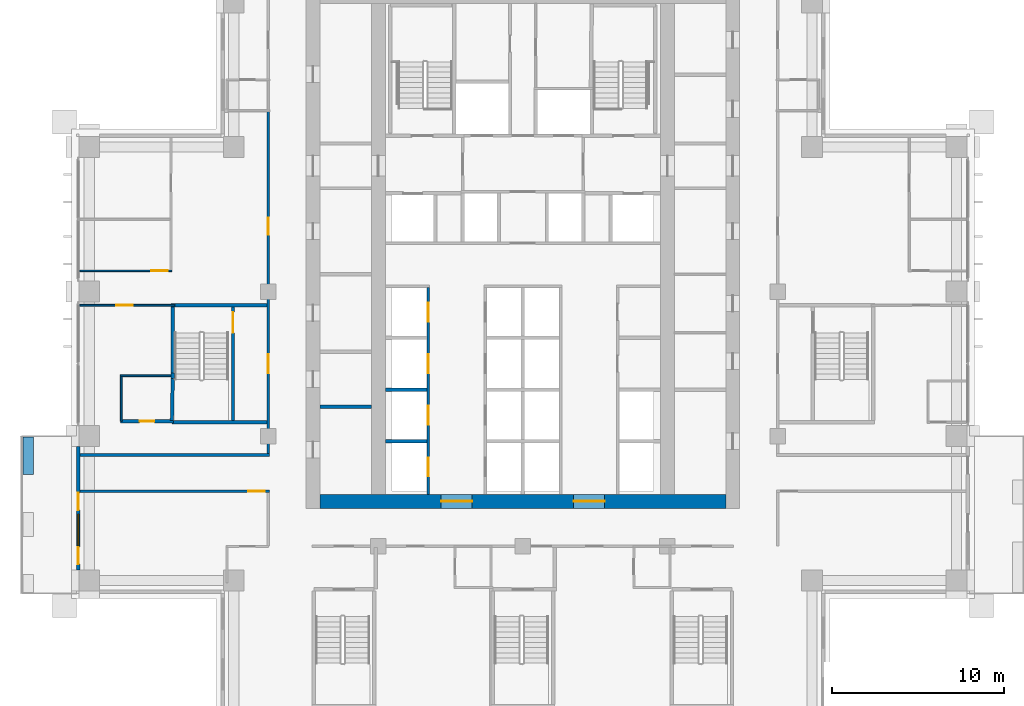
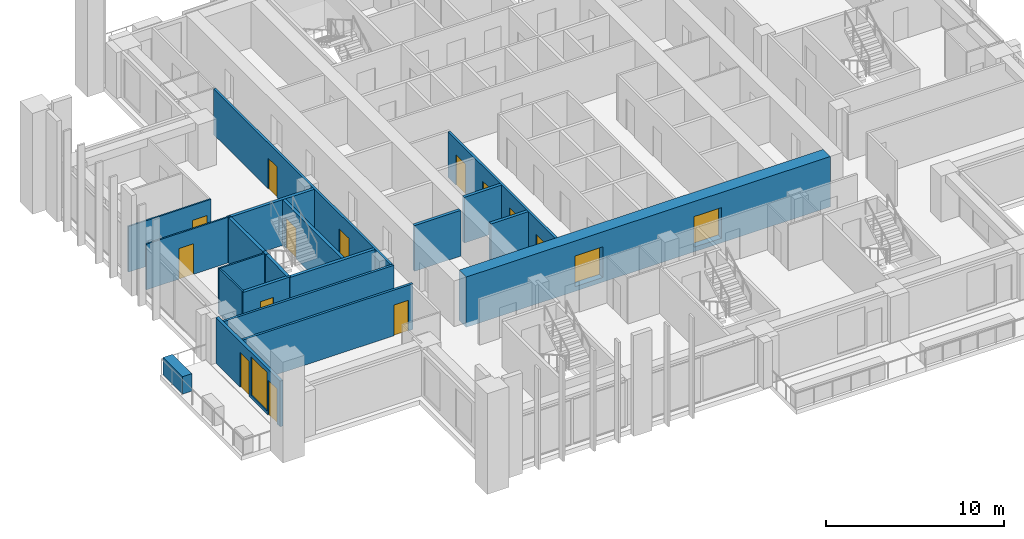
# One storey, part 9 of 19: 21 walls, 15 doors, 1 window, 16 openings.
"""IFC4 building model written with IfcOpenShell, lengths in metres."""

from ifc_helpers import new_model, si_unit, direction, frame, frame_2d, origin, place, context, subcontext, project, spatial, rectangle, extrude, material, layer, layer_set, type_object, element, fill, save


model = new_model("IFC4")

# Units and contexts
model_context = context("Model", 3, precision=1e-05, world=origin(), true_north=direction((0.0, 1.0)))
body_context = subcontext(model_context, "Body", "Model", "MODEL_VIEW")
ifc_project = project(units=[si_unit("LENGTHUNIT", "METRE"), si_unit("AREAUNIT", "SQUARE_METRE"), si_unit("VOLUMEUNIT", "CUBIC_METRE"), si_unit("PLANEANGLEUNIT", "RADIAN"), si_unit("MASSUNIT", "GRAM", prefix="KILO")], contexts=[model_context])

# Site, building, storey
site_placement = place(None, origin())
site = spatial("IfcSite", under=ifc_project, at=site_placement, CompositionType="ELEMENT")
building_placement = place(site_placement, origin())
building = spatial("IfcBuilding", under=site, at=building_placement, Name="Vermilion Ogive Tower", CompositionType="ELEMENT")
storey_placement = place(building_placement, frame((0.0, 0.0, 90.75)))
storey = spatial("IfcBuildingStorey", under=building, at=storey_placement, Name="L22", CompositionType="ELEMENT", Elevation=90.75)

# Wall, openings, doors
ifc_material_1 = material(Name="Concrete B80", Category="concrete")
ifc_layer_1 = layer(ifc_material_1, 0.800048828125)
ifc_layer_set_1 = layer_set([ifc_layer_1], Name="Core wall 800 B80")
wall_type_1 = type_object("IfcWallType", Name="Core wall 800 B80", PredefinedType="SHEAR", material=ifc_layer_set_1)
wall_1_placement = place(storey_placement, frame((-11.800048828125, -8.0, -0.320068359375), z_axis=(0.0, 0.0, 1.0), x_axis=(1.0, 0.0, 0.0)))
wall_1 = element("IfcWall", 1, at=wall_1_placement, inside=storey, type_object=wall_type_1, Name="L22-CORE-S", PredefinedType="SHEAR", context=body_context, shape_type="SweptSolid", body=[
    extrude(rectangle(XDim=23.60009765625, YDim=0.800048828125, at=frame_2d((11.800048828125, 0.0))), origin(), (0.0, 0.0, 1.0), 3.449951171875),
])
opening_1_placement = place(wall_1_placement, frame((7.050048828125, 0.0, 0.320068359375)))
opening_1 = element("IfcOpeningElement", 2, at=opening_1_placement, cuts=wall_1, Name="Opening DAH015", PredefinedType="OPENING", context=body_context, shape_type="SweptSolid", body=[
    extrude(rectangle(XDim=1.800048828125, YDim=2.10009765625, at=frame_2d((0.89990234375, 1.050048828125))), frame((0.0, 0.409912109375, 0.0), z_axis=(0.0, -1.0, 0.0), x_axis=(1.0, 0.0, 0.0)), (0.0, 0.0, 1.0), 0.820068359375),
])
opening_2_placement = place(wall_1_placement, frame((14.75, 0.0, 0.320068359375)))
opening_2 = element("IfcOpeningElement", 3, at=opening_2_placement, cuts=wall_1, Name="Opening DAH016", PredefinedType="OPENING", context=body_context, shape_type="SweptSolid", body=[
    extrude(rectangle(XDim=1.800048828125, YDim=2.10009765625, at=frame_2d((0.89990234375, 1.050048828125))), frame((0.0, 0.409912109375, 0.0), z_axis=(0.0, -1.0, 0.0), x_axis=(1.0, 0.0, 0.0)), (0.0, 0.0, 1.0), 0.820068359375),
])
ifc_material_2 = material(Name="Timber door leaf", Category="wood")
door_type_1 = type_object("IfcDoorType", Name="Core entry door 1800 x 2100 FD60S", OperationType="DOUBLE_DOOR_SINGLE_SWING", PredefinedType="DOOR", material=ifc_material_2)
door_1_placement = place(opening_1_placement, origin())
door_1 = element("IfcDoor", 4, at=door_1_placement, inside=storey, type_object=door_type_1, Name="L22-CK-XD1", OperationType="SINGLE_SWING_LEFT", OverallHeight=2.10009765625, OverallWidth=1.800048828125, PredefinedType="DOOR", context=body_context, shape_type="SweptSolid", body=[
    extrude(rectangle(XDim=1.800048828125, YDim=2.10009765625, at=frame_2d((0.89990234375, 1.050048828125))), frame((0.0, 0.02490234375, 0.0), z_axis=(0.0, -1.0, 0.0), x_axis=(1.0, 0.0, 0.0)), (0.0, 0.0, 1.0), 0.050048828125),
])
fill(opening_1, door_1)
door_2_placement = place(opening_2_placement, origin())
door_2 = element("IfcDoor", 5, at=door_2_placement, inside=storey, type_object=door_type_1, Name="L22-CK-XD2", OperationType="SINGLE_SWING_LEFT", OverallHeight=2.10009765625, OverallWidth=1.800048828125, PredefinedType="DOOR", context=body_context, shape_type="SweptSolid", body=[
    extrude(rectangle(XDim=1.800048828125, YDim=2.10009765625, at=frame_2d((0.89990234375, 1.050048828125))), frame((0.0, 0.02490234375, 0.0), z_axis=(0.0, -1.0, 0.0), x_axis=(1.0, 0.0, 0.0)), (0.0, 0.0, 1.0), 0.050048828125),
])
fill(opening_2, door_2)

# Walls
ifc_material_3 = material(Name="Gypsum board partition on steel studs", Category="steel")
ifc_layer_2 = layer(ifc_material_3, 0.10009765625)
ifc_layer_set_2 = layer_set([ifc_layer_2], Name="Partition 100 bath")
wall_type_2 = type_object("IfcWallType", Name="Partition 100 bath", PredefinedType="PARTITIONING", material=ifc_layer_set_2)
wall_2_placement = place(storey_placement, frame((-23.39794921875, -0.699951171875, 0.0), z_axis=(0.0, 0.0, 1.0), x_axis=(1.0, 0.0, 0.0)))
element("IfcWall", 6, at=wall_2_placement, inside=storey, type_object=wall_type_2, Name="L22-W-W022", PredefinedType="PARTITIONING", context=body_context, shape_type="SweptSolid", body=[
    extrude(rectangle(XDim=2.947998046875, YDim=0.10009765625, at=frame_2d((1.47412109375, 0.0))), origin(), (0.0, 0.0, 1.0), 3.1298828125),
])
wall_3_placement = place(storey_placement, frame((-23.35009765625, -3.347900390625, 0.0), z_axis=(0.0, 0.0, 1.0), x_axis=(0.0, 1.0, 0.0)))
element("IfcWall", 7, at=wall_3_placement, inside=storey, type_object=wall_type_2, Name="L22-W-W037", PredefinedType="PARTITIONING", context=body_context, shape_type="SweptSolid", body=[
    extrude(rectangle(XDim=2.595947265625, YDim=0.10009765625, at=frame_2d((1.2978515625, 0.0))), origin(), (0.0, 0.0, 1.0), 3.1298828125),
])

# Wall, opening, door
ifc_material_4 = material(Name="Gypsum board partition on steel studs", Category="steel")
ifc_layer_3 = layer(ifc_material_4, 0.10009765625)
ifc_layer_set_3 = layer_set([ifc_layer_3], Name="Partition 100 inner")
wall_type_3 = type_object("IfcWallType", Name="Partition 100 inner", PredefinedType="PARTITIONING", material=ifc_layer_set_3)
wall_4_placement = place(storey_placement, frame((-25.75, 3.39990234375, 0.0), z_axis=(0.0, 0.0, 1.0), x_axis=(1.0, 0.0, 0.0)))
wall_4 = element("IfcWall", 8, at=wall_4_placement, inside=storey, type_object=wall_type_3, Name="L22-W-W023", PredefinedType="PARTITIONING", context=body_context, shape_type="SweptSolid", body=[
    extrude(rectangle(XDim=5.5, YDim=0.10009765625, at=frame_2d((2.75, 0.0))), origin(), (0.0, 0.0, 1.0), 3.1298828125),
])
opening_3_placement = place(wall_4_placement, frame((2.125, 0.0, 0.0)))
opening_3 = element("IfcOpeningElement", 9, at=opening_3_placement, cuts=wall_4, Name="Opening D2G2006", PredefinedType="OPENING", context=body_context, shape_type="SweptSolid", body=[
    extrude(rectangle(XDim=0.949951171875, YDim=2.10009765625, at=frame_2d((0.47509765625, 1.050048828125))), frame((0.0, 0.06005859375, 0.0), z_axis=(0.0, -1.0, 0.0), x_axis=(1.0, 0.0, 0.0)), (0.0, 0.0, 1.0), 0.1201171875),
])
ifc_material_5 = material(Name="Timber door leaf", Category="wood")
door_type_2 = type_object("IfcDoorType", Name="Inner door 950 x 2100 FD30", OperationType="SINGLE_SWING_LEFT", PredefinedType="DOOR", material=ifc_material_5)
door_3_placement = place(opening_3_placement, origin())
door_3 = element("IfcDoor", 10, at=door_3_placement, inside=storey, type_object=door_type_2, Name="L22-D-D006", OperationType="SINGLE_SWING_LEFT", OverallHeight=2.10009765625, OverallWidth=0.949951171875, PredefinedType="DOOR", context=body_context, shape_type="SweptSolid", body=[
    extrude(rectangle(XDim=0.949951171875, YDim=2.10009765625, at=frame_2d((0.47509765625, 1.050048828125))), frame((0.0, 0.02490234375, 0.0), z_axis=(0.0, -1.0, 0.0), x_axis=(1.0, 0.0, 0.0)), (0.0, 0.0, 1.0), 0.050048828125),
])
fill(opening_3, door_3)

wall_5_placement = place(storey_placement, frame((-25.75, 5.39990234375, 0.0), z_axis=(0.0, 0.0, 1.0), x_axis=(1.0, 0.0, 0.0)))
wall_5 = element("IfcWall", 11, at=wall_5_placement, inside=storey, type_object=wall_type_3, Name="L22-W-W027", PredefinedType="PARTITIONING", context=body_context, shape_type="SweptSolid", body=[
    extrude(rectangle(XDim=5.35009765625, YDim=0.10009765625, at=frame_2d((2.675048828125, 0.0))), origin(), (0.0, 0.0, 1.0), 3.1298828125),
])
opening_4_placement = place(wall_5_placement, frame((4.14990234375, 0.0, 0.0)))
opening_4 = element("IfcOpeningElement", 12, at=opening_4_placement, cuts=wall_5, Name="Opening D2G2003", PredefinedType="OPENING", context=body_context, shape_type="SweptSolid", body=[
    extrude(rectangle(XDim=0.949951171875, YDim=2.10009765625, at=frame_2d((0.47509765625, 1.050048828125))), frame((0.0, 0.06005859375, 0.0), z_axis=(0.0, -1.0, 0.0), x_axis=(1.0, 0.0, 0.0)), (0.0, 0.0, 1.0), 0.1201171875),
])
door_4_placement = place(opening_4_placement, origin())
door_4 = element("IfcDoor", 13, at=door_4_placement, inside=storey, type_object=door_type_2, Name="L22-D-D003", OperationType="SINGLE_SWING_LEFT", OverallHeight=2.10009765625, OverallWidth=0.949951171875, PredefinedType="DOOR", context=body_context, shape_type="SweptSolid", body=[
    extrude(rectangle(XDim=0.949951171875, YDim=2.10009765625, at=frame_2d((0.47509765625, 1.050048828125))), frame((0.0, 0.02490234375, 0.0), z_axis=(0.0, -1.0, 0.0), x_axis=(1.0, 0.0, 0.0)), (0.0, 0.0, 1.0), 0.050048828125),
])
fill(opening_4, door_4)

ifc_material_6 = material(Name="Gypsum board partition on steel studs", Category="steel")
ifc_layer_4 = layer(ifc_material_6, 0.14990234375)
ifc_layer_set_4 = layer_set([ifc_layer_4], Name="Partition 150 corridor")
wall_type_4 = type_object("IfcWallType", Name="Partition 150 corridor", PredefinedType="PARTITIONING", material=ifc_layer_set_4)
wall_6_placement = place(storey_placement, frame((-25.75, -7.39990234375, 0.0), z_axis=(0.0, 0.0, 1.0), x_axis=(1.0, 0.0, 0.0)))
wall_6 = element("IfcWall", 14, at=wall_6_placement, inside=storey, type_object=wall_type_4, Name="L22-W-W013", PredefinedType="PARTITIONING", context=body_context, shape_type="SweptSolid", body=[
    extrude(rectangle(XDim=11.02490234375, YDim=0.14990234375, at=frame_2d((5.512451171875, 0.0))), origin(), (0.0, 0.0, 1.0), 3.1298828125),
])
opening_5_placement = place(wall_6_placement, frame((9.800048828125, 0.0, 0.0)))
opening_5 = element("IfcOpeningElement", 15, at=opening_5_placement, cuts=wall_6, Name="Opening D2G2001", PredefinedType="OPENING", context=body_context, shape_type="SweptSolid", body=[
    extrude(rectangle(XDim=0.949951171875, YDim=2.10009765625, at=frame_2d((0.47509765625, 1.050048828125))), frame((0.0, 0.0849609375, 0.0), z_axis=(0.0, -1.0, 0.0), x_axis=(1.0, 0.0, 0.0)), (0.0, 0.0, 1.0), 0.169921875),
])
ifc_material_7 = material(Name="Timber door leaf", Category="wood")
door_type_3 = type_object("IfcDoorType", Name="Unit door 950 x 2100 FD30S", OperationType="SINGLE_SWING_LEFT", PredefinedType="DOOR", material=ifc_material_7)
door_5_placement = place(opening_5_placement, origin())
door_5 = element("IfcDoor", 16, at=door_5_placement, inside=storey, type_object=door_type_3, Name="L22-D-D001", OperationType="SINGLE_SWING_RIGHT", OverallHeight=2.10009765625, OverallWidth=0.949951171875, PredefinedType="DOOR", context=body_context, shape_type="SweptSolid", body=[
    extrude(rectangle(XDim=0.949951171875, YDim=2.10009765625, at=frame_2d((0.47509765625, 1.050048828125))), frame((0.0, 0.02490234375, 0.0), z_axis=(0.0, -1.0, 0.0), x_axis=(1.0, 0.0, 0.0)), (0.0, 0.0, 1.0), 0.050048828125),
])
fill(opening_5, door_5)

# Wall
wall_7_placement = place(storey_placement, frame((-25.75, -5.300048828125, 0.0), z_axis=(0.0, 0.0, 1.0), x_axis=(1.0, 0.0, 0.0)))
element("IfcWall", 17, at=wall_7_placement, inside=storey, type_object=wall_type_4, Name="L22-W-W015", PredefinedType="PARTITIONING", context=body_context, shape_type="SweptSolid", body=[
    extrude(rectangle(XDim=11.02294921875, YDim=0.14990234375, at=frame_2d((5.511474609375, 0.0))), origin(), (0.0, 0.0, 1.0), 3.1298828125),
])

# Wall, openings, doors
wall_8_placement = place(storey_placement, frame((-14.800048828125, -5.222900390625, 0.0), z_axis=(0.0, 0.0, 1.0), x_axis=(0.0, 1.0, 0.0)))
wall_8 = element("IfcWall", 18, at=wall_8_placement, inside=storey, type_object=wall_type_4, Name="L22-W-W045", PredefinedType="PARTITIONING", context=body_context, shape_type="SweptSolid", body=[
    extrude(rectangle(XDim=19.872802734375, YDim=0.14990234375, at=frame_2d((9.9365234375, 0.0))), origin(), (0.0, 0.0, 1.0), 3.1298828125),
])
opening_6_placement = place(wall_8_placement, frame((12.722900390625, 0.0, 0.0)))
opening_6 = element("IfcOpeningElement", 19, at=opening_6_placement, cuts=wall_8, Name="Opening D2G2005", PredefinedType="OPENING", context=body_context, shape_type="SweptSolid", body=[
    extrude(rectangle(XDim=1.0, YDim=2.10009765625, at=frame_2d((0.5, 1.050048828125))), frame((0.0, 0.0849609375, 0.0), z_axis=(0.0, -1.0, 0.0), x_axis=(1.0, 0.0, 0.0)), (0.0, 0.0, 1.0), 0.169921875),
])
opening_7_placement = place(wall_8_placement, frame((4.6728515625, 0.0, 0.0)))
opening_7 = element("IfcOpeningElement", 20, at=opening_7_placement, cuts=wall_8, Name="Opening D2G2030", PredefinedType="OPENING", context=body_context, shape_type="SweptSolid", body=[
    extrude(rectangle(XDim=1.10009765625, YDim=2.10009765625, at=frame_2d((0.550048828125, 1.050048828125))), frame((0.0, 0.0849609375, 0.0), z_axis=(0.0, -1.0, 0.0), x_axis=(1.0, 0.0, 0.0)), (0.0, 0.0, 1.0), 0.169921875),
])
ifc_material_8 = material(Name="Timber door leaf", Category="wood")
door_type_4 = type_object("IfcDoorType", Name="Stair door 1100 x 2100 FD60S", OperationType="SINGLE_SWING_LEFT", PredefinedType="DOOR", material=ifc_material_8)
door_6_placement = place(opening_7_placement, origin())
door_6 = element("IfcDoor", 21, at=door_6_placement, inside=storey, type_object=door_type_4, Name="L22-D-D030", OperationType="SINGLE_SWING_LEFT", OverallHeight=2.10009765625, OverallWidth=1.10009765625, PredefinedType="DOOR", context=body_context, shape_type="SweptSolid", body=[
    extrude(rectangle(XDim=1.10009765625, YDim=2.10009765625, at=frame_2d((0.550048828125, 1.050048828125))), frame((0.0, 0.02490234375, 0.0), z_axis=(0.0, -1.0, 0.0), x_axis=(1.0, 0.0, 0.0)), (0.0, 0.0, 1.0), 0.050048828125),
])
fill(opening_7, door_6)
ifc_material_9 = material(Name="Timber door leaf", Category="wood")
door_type_5 = type_object("IfcDoorType", Name="Unit door 1000 x 2100 FD30S", OperationType="SINGLE_SWING_LEFT", PredefinedType="DOOR", material=ifc_material_9)
door_7_placement = place(opening_6_placement, origin())
door_7 = element("IfcDoor", 22, at=door_7_placement, inside=storey, type_object=door_type_5, Name="L22-D-D005", OperationType="SINGLE_SWING_RIGHT", OverallHeight=2.10009765625, OverallWidth=1.0, PredefinedType="DOOR", context=body_context, shape_type="SweptSolid", body=[
    extrude(rectangle(XDim=1.0, YDim=2.10009765625, at=frame_2d((0.5, 1.050048828125))), frame((0.0, 0.02490234375, 0.0), z_axis=(0.0, -1.0, 0.0), x_axis=(1.0, 0.0, 0.0)), (0.0, 0.0, 1.0), 0.050048828125),
])
fill(opening_6, door_7)

wall_9_placement = place(storey_placement, frame((-5.5, -7.59912109375, 0.0), z_axis=(0.0, 0.0, 1.0), x_axis=(0.0, 1.0, 0.0)))
wall_9 = element("IfcWall", 23, at=wall_9_placement, inside=storey, type_object=wall_type_4, Name="L22-CK-W-W022", PredefinedType="PARTITIONING", context=body_context, shape_type="SweptSolid", body=[
    extrude(rectangle(XDim=12.024169921875, YDim=0.14990234375, at=frame_2d((6.01220703125, 0.0))), origin(), (0.0, 0.0, 1.0), 3.1298828125),
])
opening_8_placement = place(wall_9_placement, frame((1.049072265625, 0.0, 0.0)))
opening_8 = element("IfcOpeningElement", 24, at=opening_8_placement, cuts=wall_9, Name="Opening DAA172", PredefinedType="OPENING", context=body_context, shape_type="SweptSolid", body=[
    extrude(rectangle(XDim=1.10009765625, YDim=2.10009765625, at=frame_2d((0.550048828125, 1.050048828125))), frame((0.0, 0.0849609375, 0.0), z_axis=(0.0, -1.0, 0.0), x_axis=(1.0, 0.0, 0.0)), (0.0, 0.0, 1.0), 0.169921875),
])
opening_9_placement = place(wall_9_placement, frame((4.049072265625, 0.0, 0.0)))
opening_9 = element("IfcOpeningElement", 25, at=opening_9_placement, cuts=wall_9, Name="Opening DAA175", PredefinedType="OPENING", context=body_context, shape_type="SweptSolid", body=[
    extrude(rectangle(XDim=1.10009765625, YDim=2.10009765625, at=frame_2d((0.550048828125, 1.050048828125))), frame((0.0, 0.0849609375, 0.0), z_axis=(0.0, -1.0, 0.0), x_axis=(1.0, 0.0, 0.0)), (0.0, 0.0, 1.0), 0.169921875),
])
opening_10_placement = place(wall_9_placement, frame((7.049072265625, 0.0, 0.0)))
opening_10 = element("IfcOpeningElement", 26, at=opening_10_placement, cuts=wall_9, Name="Opening DAA176", PredefinedType="OPENING", context=body_context, shape_type="SweptSolid", body=[
    extrude(rectangle(XDim=1.10009765625, YDim=2.10009765625, at=frame_2d((0.550048828125, 1.050048828125))), frame((0.0, 0.0849609375, 0.0), z_axis=(0.0, -1.0, 0.0), x_axis=(1.0, 0.0, 0.0)), (0.0, 0.0, 1.0), 0.169921875),
])
opening_11_placement = place(wall_9_placement, frame((10.049072265625, 0.0, 0.0)))
opening_11 = element("IfcOpeningElement", 27, at=opening_11_placement, cuts=wall_9, Name="Opening DAA177", PredefinedType="OPENING", context=body_context, shape_type="SweptSolid", body=[
    extrude(rectangle(XDim=1.10009765625, YDim=2.10009765625, at=frame_2d((0.550048828125, 1.050048828125))), frame((0.0, 0.0849609375, 0.0), z_axis=(0.0, -1.0, 0.0), x_axis=(1.0, 0.0, 0.0)), (0.0, 0.0, 1.0), 0.169921875),
])
ifc_material_10 = material(Name="Stainless steel", Category="steel")
door_type_6 = type_object("IfcDoorType", Name="Lift landing door 1100 x 2100", OperationType="SLIDING_TO_LEFT", PredefinedType="DOOR", material=ifc_material_10)
door_8_placement = place(opening_8_placement, origin())
door_8 = element("IfcDoor", 28, at=door_8_placement, inside=storey, type_object=door_type_6, Name="L22-CK-D-D001", OperationType="SLIDING_TO_LEFT", OverallHeight=2.10009765625, OverallWidth=1.10009765625, PredefinedType="DOOR", context=body_context, shape_type="SweptSolid", body=[
    extrude(rectangle(XDim=1.10009765625, YDim=2.10009765625, at=frame_2d((0.550048828125, 1.050048828125))), frame((0.0, 0.02490234375, 0.0), z_axis=(0.0, -1.0, 0.0), x_axis=(1.0, 0.0, 0.0)), (0.0, 0.0, 1.0), 0.050048828125),
])
fill(opening_8, door_8)
door_9_placement = place(opening_9_placement, origin())
door_9 = element("IfcDoor", 29, at=door_9_placement, inside=storey, type_object=door_type_6, Name="L22-CK-D-D002", OperationType="SLIDING_TO_LEFT", OverallHeight=2.10009765625, OverallWidth=1.10009765625, PredefinedType="DOOR", context=body_context, shape_type="SweptSolid", body=[
    extrude(rectangle(XDim=1.10009765625, YDim=2.10009765625, at=frame_2d((0.550048828125, 1.050048828125))), frame((0.0, 0.02490234375, 0.0), z_axis=(0.0, -1.0, 0.0), x_axis=(1.0, 0.0, 0.0)), (0.0, 0.0, 1.0), 0.050048828125),
])
fill(opening_9, door_9)
door_10_placement = place(opening_10_placement, origin())
door_10 = element("IfcDoor", 30, at=door_10_placement, inside=storey, type_object=door_type_6, Name="L22-CK-D-D003", OperationType="SLIDING_TO_LEFT", OverallHeight=2.10009765625, OverallWidth=1.10009765625, PredefinedType="DOOR", context=body_context, shape_type="SweptSolid", body=[
    extrude(rectangle(XDim=1.10009765625, YDim=2.10009765625, at=frame_2d((0.550048828125, 1.050048828125))), frame((0.0, 0.02490234375, 0.0), z_axis=(0.0, -1.0, 0.0), x_axis=(1.0, 0.0, 0.0)), (0.0, 0.0, 1.0), 0.050048828125),
])
fill(opening_10, door_10)
door_11_placement = place(opening_11_placement, origin())
door_11 = element("IfcDoor", 31, at=door_11_placement, inside=storey, type_object=door_type_6, Name="L22-CK-D-D004", OperationType="SLIDING_TO_LEFT", OverallHeight=2.10009765625, OverallWidth=1.10009765625, PredefinedType="DOOR", context=body_context, shape_type="SweptSolid", body=[
    extrude(rectangle(XDim=1.10009765625, YDim=2.10009765625, at=frame_2d((0.550048828125, 1.050048828125))), frame((0.0, 0.02490234375, 0.0), z_axis=(0.0, -1.0, 0.0), x_axis=(1.0, 0.0, 0.0)), (0.0, 0.0, 1.0), 0.050048828125),
])
fill(opening_11, door_11)

# Walls
ifc_material_11 = material(Name="Gypsum board partition on steel studs", Category="steel")
ifc_layer_5 = layer(ifc_material_11, 0.199951171875)
ifc_layer_set_5 = layer_set([ifc_layer_5], Name="Partition 200 party")
wall_type_5 = type_object("IfcWallType", Name="Partition 200 party", PredefinedType="PARTITIONING", material=ifc_layer_set_5)
for number, where, z_axis, x_axis, name in (
    (32, (-7.9990234375, -4.5, 0.0), (0.0, 0.0, 1.0), (1.0, 0.0, 0.0), "L22-CK-W-W001"),
    (33, (-7.9990234375, -1.5, 0.0), (0.0, 0.0, 1.0), (1.0, 0.0, 0.0), "L22-CK-W-W004"),
):
    element("IfcWall", number, at=place(storey_placement, frame(where, z_axis=z_axis, x_axis=x_axis)), inside=storey, type_object=wall_type_5, Name=name, PredefinedType="PARTITIONING", context=body_context, shape_type="SweptSolid", body=[
        extrude(rectangle(XDim=2.424072265625, YDim=0.199951171875, at=frame_2d((1.2119140625, 0.0))), origin(), (0.0, 0.0, 1.0), 3.1298828125),
    ])
wall_10_placement = place(storey_placement, frame((-11.799072265625, -2.5, 0.0), z_axis=(0.0, 0.0, 1.0), x_axis=(1.0, 0.0, 0.0)))
element("IfcWall", 34, at=wall_10_placement, inside=storey, type_object=wall_type_5, Name="L22-CKW-W-W001", PredefinedType="PARTITIONING", context=body_context, shape_type="SweptSolid", body=[
    extrude(rectangle(XDim=2.998046875, YDim=0.199951171875, at=frame_2d((1.4990234375, 0.0))), origin(), (0.0, 0.0, 1.0), 3.1298828125),
])

# Wall, opening, door
ifc_material_12 = material(Name="Concrete B60", Category="concrete")
ifc_layer_6 = layer(ifc_material_12, 0.199951171875)
ifc_layer_set_6 = layer_set([ifc_layer_6], Name="Stair shaft wall 200 Concrete B60")
wall_type_6 = type_object("IfcWallType", Name="Stair shaft wall 200 Concrete B60", PredefinedType="SOLIDWALL", material=ifc_layer_set_6)
wall_11_placement = place(storey_placement, frame((-23.39794921875, -3.349853515625, 0.0), z_axis=(0.0, 0.0, 1.0), x_axis=(1.0, 0.0, 0.0)))
wall_11 = element("IfcWall", 35, at=wall_11_placement, inside=storey, type_object=wall_type_6, Name="L22-W-W017", PredefinedType="SOLIDWALL", context=body_context, shape_type="SweptSolid", body=[
    extrude(rectangle(XDim=3.097900390625, YDim=0.199951171875, at=frame_2d((1.548828125, 0.0))), origin(), (0.0, 0.0, 1.0), 3.1298828125),
])
opening_12_placement = place(wall_11_placement, frame((1.123046875, 0.0, 0.0)))
opening_12 = element("IfcOpeningElement", 36, at=opening_12_placement, cuts=wall_11, Name="Opening D2G2007", PredefinedType="OPENING", context=body_context, shape_type="SweptSolid", body=[
    extrude(rectangle(XDim=0.85009765625, YDim=2.10009765625, at=frame_2d((0.425048828125, 1.050048828125))), frame((0.0, 0.10986328125, 0.0), z_axis=(0.0, -1.0, 0.0), x_axis=(1.0, 0.0, 0.0)), (0.0, 0.0, 1.0), 0.219970703125),
])
ifc_material_13 = material(Name="Timber door leaf", Category="wood")
door_type_7 = type_object("IfcDoorType", Name="Bath door 850 x 2100 FD30", OperationType="SINGLE_SWING_LEFT", PredefinedType="DOOR", material=ifc_material_13)
door_12_placement = place(opening_12_placement, origin())
door_12 = element("IfcDoor", 37, at=door_12_placement, inside=storey, type_object=door_type_7, Name="L22-D-D007", OperationType="SINGLE_SWING_LEFT", OverallHeight=2.10009765625, OverallWidth=0.85009765625, PredefinedType="DOOR", context=body_context, shape_type="SweptSolid", body=[
    extrude(rectangle(XDim=0.85009765625, YDim=2.10009765625, at=frame_2d((0.425048828125, 1.050048828125))), frame((0.0, 0.02490234375, 0.0), z_axis=(0.0, -1.0, 0.0), x_axis=(1.0, 0.0, 0.0)), (0.0, 0.0, 1.0), 0.050048828125),
])
fill(opening_12, door_12)

# Walls
wall_12_placement = place(storey_placement, frame((-20.39990234375, -3.39990234375, 0.0), z_axis=(0.0, 0.0, 1.0), x_axis=(1.0, 0.0, 0.0)))
element("IfcWall", 38, at=wall_12_placement, inside=storey, type_object=wall_type_6, Name="L22-W-W018", PredefinedType="SOLIDWALL", context=body_context, shape_type="SweptSolid", body=[
    extrude(rectangle(XDim=5.52294921875, YDim=0.199951171875, at=frame_2d((2.761474609375, 0.0))), origin(), (0.0, 0.0, 1.0), 3.1298828125),
])
wall_13_placement = place(storey_placement, frame((-20.449951171875, 3.39990234375, 0.0), z_axis=(0.0, 0.0, 1.0), x_axis=(1.0, 0.0, 0.0)))
element("IfcWall", 39, at=wall_13_placement, inside=storey, type_object=wall_type_6, Name="L22-W-W024", PredefinedType="SOLIDWALL", context=body_context, shape_type="SweptSolid", body=[
    extrude(rectangle(XDim=5.574951171875, YDim=0.199951171875, at=frame_2d((2.78759765625, 0.0))), origin(), (0.0, 0.0, 1.0), 3.1298828125),
])
wall_14_placement = place(storey_placement, frame((-20.400146484375, -3.300048828125, 0.0), z_axis=(0.0, 0.0, 1.0), x_axis=(0.019989976481, 0.999800180456, 0.0)))
element("IfcWall", 40, at=wall_14_placement, inside=storey, type_object=wall_type_6, Name="L22-W-W039", PredefinedType="SOLIDWALL", context=body_context, shape_type="SweptSolid", body=[
    extrude(rectangle(XDim=2.430419921875, YDim=0.199951171875, at=frame_2d((1.21533203125, 0.0))), origin(), (0.0, 0.0, 1.0), 3.1298828125),
])
wall_15_placement = place(storey_placement, frame((-20.35009765625, -0.52978515625, 0.0), z_axis=(0.0, 0.0, 1.0), x_axis=(0.0, 1.0, 0.0)))
element("IfcWall", 41, at=wall_15_placement, inside=storey, type_object=wall_type_6, Name="L22-W-W040", PredefinedType="SOLIDWALL", context=body_context, shape_type="SweptSolid", body=[
    extrude(rectangle(XDim=3.829833984375, YDim=0.199951171875, at=frame_2d((1.9150390625, 0.0))), origin(), (0.0, 0.0, 1.0), 3.1298828125),
])

# Wall, opening, door
wall_16_placement = place(storey_placement, frame((-16.85009765625, -3.300048828125, 0.0), z_axis=(0.0, 0.0, 1.0), x_axis=(0.0, 1.0, 0.0)))
wall_16 = element("IfcWall", 42, at=wall_16_placement, inside=storey, type_object=wall_type_6, Name="L22-W-W043", PredefinedType="SOLIDWALL", context=body_context, shape_type="SweptSolid", body=[
    extrude(rectangle(XDim=6.60009765625, YDim=0.199951171875, at=frame_2d((3.300048828125, 0.0))), origin(), (0.0, 0.0, 1.0), 3.1298828125),
])
opening_13_placement = place(wall_16_placement, frame((5.10009765625, 0.0, 0.0)))
opening_13 = element("IfcOpeningElement", 43, at=opening_13_placement, cuts=wall_16, Name="Opening D2G2031", PredefinedType="OPENING", context=body_context, shape_type="SweptSolid", body=[
    extrude(rectangle(XDim=1.199951171875, YDim=2.10009765625, at=frame_2d((0.60009765625, 1.050048828125))), frame((0.0, 0.10986328125, 0.0), z_axis=(0.0, -1.0, 0.0), x_axis=(1.0, 0.0, 0.0)), (0.0, 0.0, 1.0), 0.219970703125),
])
ifc_material_14 = material(Name="Timber door leaf", Category="wood")
door_type_8 = type_object("IfcDoorType", Name="Stair door 1200 x 2100 FD60S", OperationType="SINGLE_SWING_LEFT", PredefinedType="DOOR", material=ifc_material_14)
door_13_placement = place(opening_13_placement, origin())
door_13 = element("IfcDoor", 44, at=door_13_placement, inside=storey, type_object=door_type_8, Name="L22-D-D031", OperationType="SINGLE_SWING_RIGHT", OverallHeight=2.10009765625, OverallWidth=1.199951171875, PredefinedType="DOOR", context=body_context, shape_type="SweptSolid", body=[
    extrude(rectangle(XDim=1.199951171875, YDim=2.10009765625, at=frame_2d((0.60009765625, 1.050048828125))), frame((0.0, 0.02490234375, 0.0), z_axis=(0.0, -1.0, 0.0), x_axis=(1.0, 0.0, 0.0)), (0.0, 0.0, 1.0), 0.050048828125),
])
fill(opening_13, door_13)

# Walls
wall_17_placement = place(storey_placement, frame((-20.35009765625, -0.8701171875, 0.0), z_axis=(0.0, 0.0, 1.0), x_axis=(0.0, 1.0, 0.0)))
element("IfcWall", 45, at=wall_17_placement, inside=storey, type_object=wall_type_6, Name="L22-SW-ST9-W1", PredefinedType="SOLIDWALL", context=body_context, shape_type="SweptSolid", body=[
    extrude(rectangle(XDim=0.34033203125, YDim=0.199951171875, at=frame_2d((0.170166015625, 0.0))), origin(), (0.0, 0.0, 1.0), 3.1298828125),
])
ifc_material_15 = material(Name="Concrete B40", Category="concrete")
ifc_layer_7 = layer(ifc_material_15, 0.60009765625)
ifc_layer_set_7 = layer_set([ifc_layer_7], Name="Structural planter")
wall_type_7 = type_object("IfcWallType", Name="Structural planter", PredefinedType="USERDEFINED", material=ifc_layer_set_7)
wall_18_placement = place(storey_placement, frame((-28.75, -4.260009765625, -0.0400390625), z_axis=(0.0, 0.0, 1.0), x_axis=(0.0, -1.0, 0.0)))
element("IfcWall", 46, at=wall_18_placement, inside=storey, type_object=wall_type_7, Name="Planter W03A1", ObjectType="PLANTER", PredefinedType="USERDEFINED", context=body_context, shape_type="SweptSolid", body=[
    extrude(rectangle(XDim=2.18994140625, YDim=0.60009765625, at=frame_2d((1.094970703125, 0.0))), origin(), (0.0, 0.0, 1.0), 1.199951171875),
])

# Wall, openings, doors, window
ifc_material_16 = material(Name="Aluminium window wall framing", Category="aluminium")
ifc_layer_8 = layer(ifc_material_16, 0.199951171875)
ifc_layer_set_8 = layer_set([ifc_layer_8], Name="Window wall")
wall_type_8 = type_object("IfcWallType", Name="Window wall", PredefinedType="STANDARD", material=ifc_layer_set_8)
wall_19_placement = place(storey_placement, frame((-25.85009765625, -4.800048828125, 0.0), z_axis=(0.0, 0.0, 1.0), x_axis=(0.0, -1.0, 0.0)))
wall_19 = element("IfcWall", 47, at=wall_19_placement, inside=storey, type_object=wall_type_8, Name="Window wall W3", PredefinedType="STANDARD", context=body_context, shape_type="SweptSolid", body=[
    extrude(rectangle(XDim=7.199951171875, YDim=0.199951171875, at=frame_2d((3.60009765625, 0.0))), origin(), (0.0, 0.0, 1.0), 3.1298828125),
])
opening_14_placement = place(wall_19_placement, frame((3.949951171875, 0.0, 0.199951171875)))
opening_14 = element("IfcOpeningElement", 48, at=opening_14_placement, cuts=wall_19, Name="Opening W1-W97", PredefinedType="OPENING", context=body_context, shape_type="SweptSolid", body=[
    extrude(rectangle(XDim=1.800048828125, YDim=2.64990234375, at=frame_2d((0.89990234375, 1.324951171875))), frame((0.0, 0.10986328125, 0.0), z_axis=(0.0, -1.0, 0.0), x_axis=(1.0, 0.0, 0.0)), (0.0, 0.0, 1.0), 0.219970703125),
])
opening_15_placement = place(wall_19_placement, frame((5.85009765625, 0.0, 0.0)))
opening_15 = element("IfcOpeningElement", 49, at=opening_15_placement, cuts=wall_19, Name="Opening D1-W97", PredefinedType="OPENING", context=body_context, shape_type="SweptSolid", body=[
    extrude(rectangle(XDim=1.0, YDim=2.39990234375, at=frame_2d((0.5, 1.199951171875))), frame((0.0, 0.10986328125, 0.0), z_axis=(0.0, -1.0, 0.0), x_axis=(1.0, 0.0, 0.0)), (0.0, 0.0, 1.0), 0.219970703125),
])
opening_16_placement = place(wall_19_placement, frame((2.699951171875, 0.0, 0.0)))
opening_16 = element("IfcOpeningElement", 50, at=opening_16_placement, cuts=wall_19, Name="Opening D1-W98", PredefinedType="OPENING", context=body_context, shape_type="SweptSolid", body=[
    extrude(rectangle(XDim=1.0, YDim=2.39990234375, at=frame_2d((0.5, 1.199951171875))), frame((0.0, 0.10986328125, 0.0), z_axis=(0.0, -1.0, 0.0), x_axis=(1.0, 0.0, 0.0)), (0.0, 0.0, 1.0), 0.219970703125),
])
ifc_material_17 = material(Name="Aluminium framed glazed door", Category="aluminium")
door_type_9 = type_object("IfcDoorType", Name="Balcony door D1", OperationType="SINGLE_SWING_LEFT", PredefinedType="DOOR", material=ifc_material_17)
door_14_placement = place(opening_15_placement, origin())
door_14 = element("IfcDoor", 51, at=door_14_placement, inside=storey, type_object=door_type_9, Name="Balcony door W97", OperationType="SINGLE_SWING_LEFT", OverallHeight=2.39990234375, OverallWidth=1.0, PredefinedType="DOOR", context=body_context, shape_type="SweptSolid", body=[
    extrude(rectangle(XDim=1.0, YDim=2.39990234375, at=frame_2d((0.5, 1.199951171875))), frame((0.0, 0.02490234375, 0.0), z_axis=(0.0, -1.0, 0.0), x_axis=(1.0, 0.0, 0.0)), (0.0, 0.0, 1.0), 0.050048828125),
])
fill(opening_15, door_14)
door_15_placement = place(opening_16_placement, origin())
door_15 = element("IfcDoor", 52, at=door_15_placement, inside=storey, type_object=door_type_9, Name="Balcony door W98", OperationType="SINGLE_SWING_LEFT", OverallHeight=2.39990234375, OverallWidth=1.0, PredefinedType="DOOR", context=body_context, shape_type="SweptSolid", body=[
    extrude(rectangle(XDim=1.0, YDim=2.39990234375, at=frame_2d((0.5, 1.199951171875))), frame((0.0, 0.02490234375, 0.0), z_axis=(0.0, -1.0, 0.0), x_axis=(1.0, 0.0, 0.0)), (0.0, 0.0, 1.0), 0.050048828125),
])
fill(opening_16, door_15)
ifc_material_18 = material(Name="Aluminium framed double glazing", Category="aluminium")
window_type = type_object("IfcWindowType", Name="Guest window W1", PartitioningType="SINGLE_PANEL", PredefinedType="WINDOW", material=ifc_material_18)
window_placement = place(opening_14_placement, origin())
window = element("IfcWindow", 53, at=window_placement, inside=storey, type_object=window_type, Name="Window W97", OverallHeight=2.64990234375, OverallWidth=1.800048828125, PartitioningType="SINGLE_PANEL", PredefinedType="WINDOW", context=body_context, shape_type="SweptSolid", body=[
    extrude(rectangle(XDim=1.800048828125, YDim=2.64990234375, at=frame_2d((0.89990234375, 1.324951171875))), frame((0.0, 0.030029296875, 0.0), z_axis=(0.0, -1.0, 0.0), x_axis=(1.0, 0.0, 0.0)), (0.0, 0.0, 1.0), 0.06005859375),
])
fill(opening_14, window)

save(model, "model.ifc")
